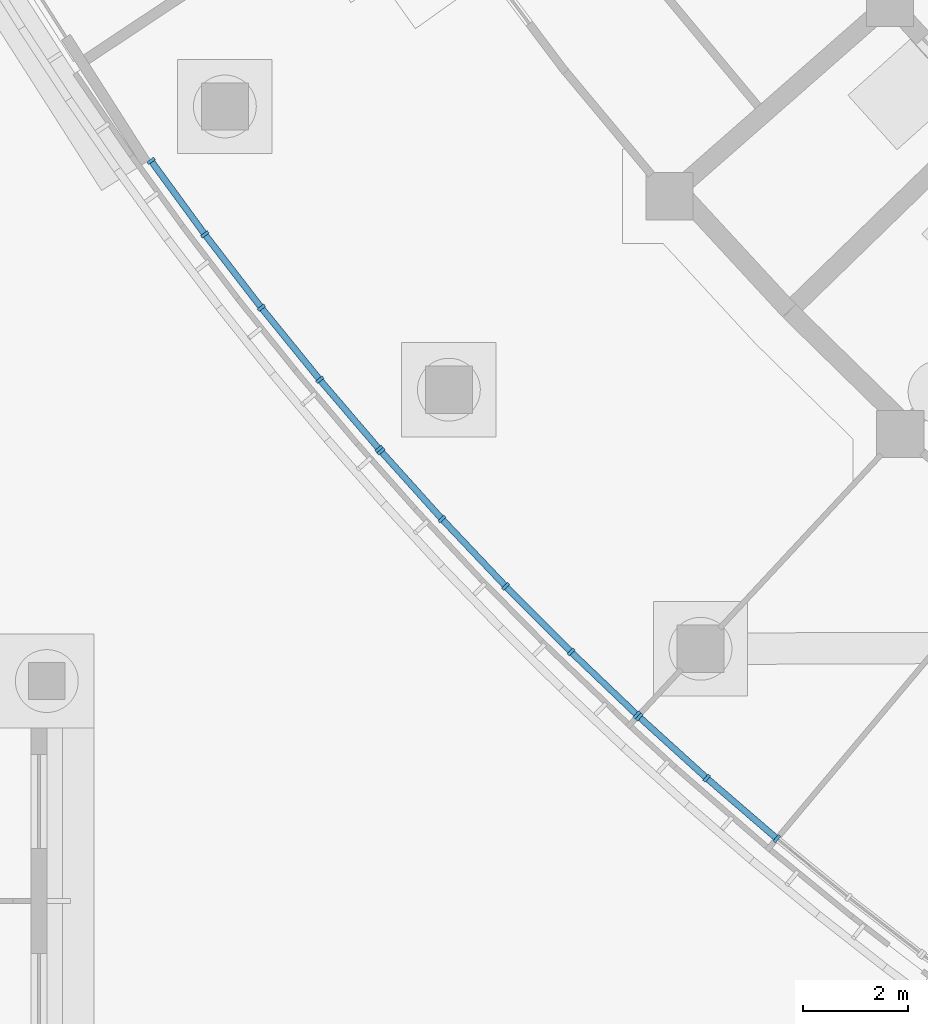
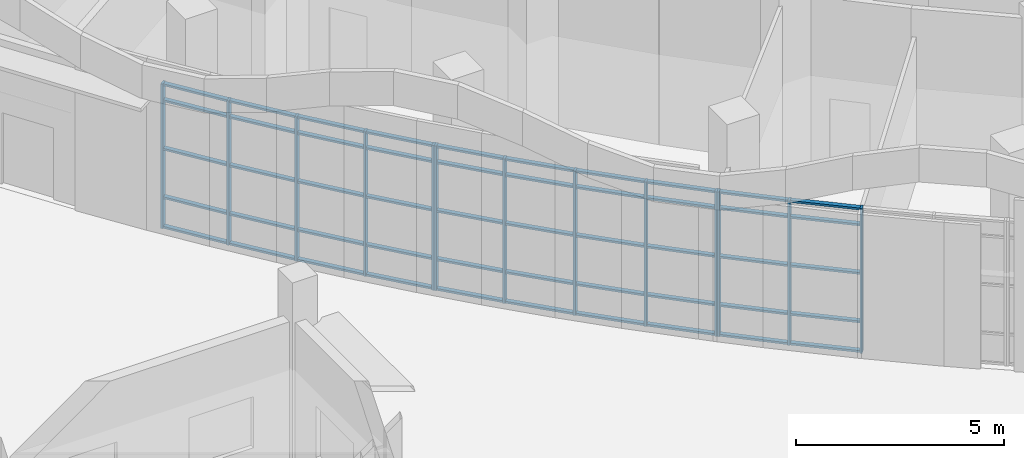
# One storey, part 16 of 146: 63 members, 3 elements without a shape of their own.
"""IFC4 building model written with IfcOpenShell, lengths in metres."""

import ifcopenshell
import ifcopenshell.guid

model = None  # the IFC model being written
_history = None  # IfcOwnerHistory: only IFC2X3 demands one
_inside = {}  # id of a spatial element -> (the spatial element, [elements in it])
_under = {}  # id of a project, library or spatial element -> (it, [spatial elements below it])
_declared = {}  # id of a project -> (the project, [libraries it declares])
_typed = {}  # id of a type object -> (the type object, [elements of that type])
_made_of = {}  # id of a material, layer set ... -> (it, [elements and type objects made of it])


def new_model(schema):
    """Start an empty IFC model of exactly this schema.

    Asked for "IFC4X3", IfcOpenShell would pick the latest addendum, in which some entities
    have other attributes; the version numbers below select the first issue.
    IFC2X3 requires an IfcOwnerHistory on every rooted entity: one is made here for all.
    """
    global model, _history
    if schema == "IFC4X3":
        model = ifcopenshell.file(schema_version=(4, 3, 0, 0))
    else:
        model = ifcopenshell.file(schema=schema)
    _inside.clear()
    _under.clear()
    _declared.clear()
    _typed.clear()
    _made_of.clear()
    _history = None
    if model.schema == "IFC2X3":
        org = make("IfcOrganization", Name="unknown")
        user = make(
            "IfcPersonAndOrganization",
            ThePerson=make("IfcPerson", FamilyName="unknown"),
            TheOrganization=org,
        )
        app = make(
            "IfcApplication",
            ApplicationDeveloper=org,
            Version="unknown",
            ApplicationFullName="unknown",
            ApplicationIdentifier="unknown",
        )
        _history = make(
            "IfcOwnerHistory",
            OwningUser=user,
            OwningApplication=app,
            ChangeAction="ADDED",
            CreationDate=0,
        )
    return model


def make(cls, **values):
    """One entity of the class cls with the attributes given. An attribute that is None is left unset."""
    return model.create_entity(
        cls, **{name: value for name, value in values.items() if value is not None}
    )


def rooted(cls, **values):
    """An entity with a GlobalId (a new one), such as an element, a storey or a relation."""
    return make(cls, GlobalId=ifcopenshell.guid.new(), OwnerHistory=_history, **values)


def si_unit(unit_type, name, prefix=None):
    """IfcSIUnit, for example si_unit("LENGTHUNIT", "METRE", prefix="MILLI")."""
    return make("IfcSIUnit", UnitType=unit_type, Prefix=prefix, Name=name)


def assignment(units):
    """IfcUnitAssignment: the units of a project."""
    return None if units is None else make("IfcUnitAssignment", Units=units)


def point(xyz):
    """IfcCartesianPoint."""
    return None if xyz is None else make("IfcCartesianPoint", Coordinates=xyz)


def direction(xyz):
    """IfcDirection."""
    return None if xyz is None else make("IfcDirection", DirectionRatios=xyz)


def frame(location, z_axis=None, x_axis=None):
    """IfcAxis2Placement3D, a coordinate frame: its origin and axes. An axis left out is left unset."""
    return make(
        "IfcAxis2Placement3D",
        Location=point(location),
        Axis=direction(z_axis),
        RefDirection=direction(x_axis),
    )


def frame_2d(location, x_axis=None):
    """IfcAxis2Placement2D, a coordinate frame in the plane: its origin and x axis."""
    return make(
        "IfcAxis2Placement2D", Location=point(location), RefDirection=direction(x_axis)
    )


def origin():
    """The frame at (0, 0, 0) with its axes left unset."""
    return frame((0.0, 0.0, 0.0))


def origin_2d():
    """The frame at (0, 0) in the plane with its x axis left unset."""
    return frame_2d((0.0, 0.0))


def place(relative_to, where):
    """IfcLocalPlacement: puts the frame where relative to a parent placement (None: the world)."""
    return make(
        "IfcLocalPlacement", PlacementRelTo=relative_to, RelativePlacement=where
    )


def context(
    kind, dimensions, precision=None, world=None, true_north=None, identifier=None
):
    """IfcGeometricRepresentationContext, for example the 3D "Model" context."""
    return make(
        "IfcGeometricRepresentationContext",
        ContextIdentifier=identifier,
        ContextType=kind,
        CoordinateSpaceDimension=dimensions,
        Precision=precision,
        WorldCoordinateSystem=world,
        TrueNorth=true_north,
    )


def subcontext(parent, identifier, kind, view, scale=None):
    """IfcGeometricRepresentationSubContext, for example "Body" below "Model"."""
    return make(
        "IfcGeometricRepresentationSubContext",
        ContextIdentifier=identifier,
        ContextType=kind,
        ParentContext=parent,
        TargetScale=scale,
        TargetView=view,
    )


def project(units=None, contexts=None):
    """IfcProject with its units and contexts."""
    return rooted(
        "IfcProject",
        Name="project",
        RepresentationContexts=contexts,
        UnitsInContext=assignment(units),
    )


def spatial(cls, under=None, at=None, **own):
    """A site, building, storey or space (cls), placed at a placement, below another one or the project."""
    s = rooted(cls, ObjectPlacement=at, **own)
    if under is not None:
        _under.setdefault(under.id(), (under, []))[1].append(s)
    return s


def profile(cls, at=None, kind="AREA", **sizes):
    """A parametric profile (cls). Its sizes go by their IFC names, for example OverallWidth=200.0."""
    return make(cls, ProfileType=kind, Position=at, **sizes)


def rectangle(**sizes):
    """IfcRectangleProfileDef."""
    return profile("IfcRectangleProfileDef", **sizes)


def extrude(swept, where, along, depth):
    """IfcExtrudedAreaSolid: the profile swept, set in the frame where, extruded along a direction by depth."""
    return make(
        "IfcExtrudedAreaSolid",
        SweptArea=swept,
        Position=where,
        ExtrudedDirection=direction(along),
        Depth=depth,
    )


def shape(context_of_items, identifier, shape_type, items):
    """IfcShapeRepresentation: the items that make up one representation, for example the "Body"."""
    return make(
        "IfcShapeRepresentation",
        ContextOfItems=context_of_items,
        RepresentationIdentifier=identifier,
        RepresentationType=shape_type,
        Items=items,
    )


def material(Name=None, Category=None):
    """IfcMaterial."""
    return make("IfcMaterial", Name=Name, Category=Category)


def material_profile(
    of_material, cross_section, Name=None, Category=None, Priority=None
):
    """IfcMaterialProfile: a cross section and its material."""
    return make(
        "IfcMaterialProfile",
        Name=Name,
        Material=of_material,
        Profile=cross_section,
        Priority=Priority,
        Category=Category,
    )


def profile_set(profiles, Name=None, composite=None):
    """IfcMaterialProfileSet."""
    return make(
        "IfcMaterialProfileSet",
        Name=Name,
        MaterialProfiles=profiles,
        CompositeProfile=composite,
    )


def made_of(thing, what):
    """Note that an element or type object is made of a material, layer set ...; save() writes the relation."""
    if what is not None:
        _made_of.setdefault(what.id(), (what, []))[1].append(thing)
    return thing


def type_object(cls, material=None, **own):
    """A type object (cls), such as IfcWallType, which elements share."""
    return made_of(rooted(cls, **own), material)


def element(
    cls,
    number,
    at=None,
    inside=None,
    cuts=None,
    type_object=None,
    material=None,
    context=None,
    identifier="Body",
    shape_type=None,
    held_by="IfcProductDefinitionShape",
    body=None,
    shapes=None,
    **own,
):
    """One element of the class cls, such as IfcWall. Its Tag is "e" and its number.

    at: its placement. inside: the storey or other place that contains it. cuts: it is an
    opening in that element (IfcRelVoidsElement). A single representation is given by context,
    identifier, shape_type and body (its items); several are given by shapes. held_by: the class
    of the entity that holds the representations. save() writes the other relations.
    """
    e = rooted(cls, Tag="e%d" % number, ObjectPlacement=at, **own)
    if body is not None:
        shapes = [shape(context, identifier, shape_type, body)]
    if shapes is not None:
        e.Representation = make(held_by, Representations=shapes)
    if inside is not None:
        _inside.setdefault(inside.id(), (inside, []))[1].append(e)
    if cuts is not None:
        rooted(
            "IfcRelVoidsElement", RelatingBuildingElement=cuts, RelatedOpeningElement=e
        )
    if type_object is not None:
        _typed.setdefault(type_object.id(), (type_object, []))[1].append(e)
    return made_of(e, material)


def aggregate(whole, parts):
    """IfcRelAggregates: a whole, such as a stair, and the parts it consists of."""
    return rooted("IfcRelAggregates", RelatingObject=whole, RelatedObjects=parts)


def save(model, path):
    """Write the relations noted so far, then the file.

    IfcRelAggregates (storeys below a building ...), IfcRelContainedInSpatialStructure (elements
    in a storey), IfcRelDefinesByType, IfcRelAssociatesMaterial and IfcRelDeclares: one each for
    every whole, place, type object, material and project.
    """
    for whole, parts in _under.values():
        aggregate(whole, parts)
    for where, things in _inside.values():
        rooted(
            "IfcRelContainedInSpatialStructure",
            RelatedElements=things,
            RelatingStructure=where,
        )
    for kind, things in _typed.values():
        rooted("IfcRelDefinesByType", RelatedObjects=things, RelatingType=kind)
    for what, things in _made_of.values():
        rooted("IfcRelAssociatesMaterial", RelatedObjects=things, RelatingMaterial=what)
    for by, libraries in _declared.values():
        rooted("IfcRelDeclares", RelatingContext=by, RelatedDefinitions=libraries)
    model.write(path)


model = new_model("IFC4")

# Units and contexts
model_context = context("Model", 3, precision=1e-05, world=origin(), true_north=direction((0.0, 1.0)))
body_context = subcontext(model_context, "Body", "Model", "MODEL_VIEW")
ifc_project = project(units=[si_unit("LENGTHUNIT", "METRE"), si_unit("AREAUNIT", "SQUARE_METRE"), si_unit("VOLUMEUNIT", "CUBIC_METRE"), si_unit("PLANEANGLEUNIT", "RADIAN"), si_unit("MASSUNIT", "GRAM", prefix="KILO")], contexts=[model_context])

# Site, building, storey
site_placement = place(None, origin())
site = spatial("IfcSite", under=ifc_project, at=site_placement, CompositionType="ELEMENT")
building_placement = place(site_placement, origin())
building = spatial("IfcBuilding", under=site, at=building_placement, Name="Bougainvillea Quay General Hospital", CompositionType="ELEMENT")
storey_placement = place(building_placement, origin())
storey = spatial("IfcBuildingStorey", under=building, at=storey_placement, Name="L00", CompositionType="ELEMENT", Elevation=0.0)

# Curtain wall, members
ifc_material_1 = material(Name="Aluminium curtain wall system, powder-coated glazed", Category="aluminium")
curtain_wall_type = type_object("IfcCurtainWallType", Name="Unitised curtain wall CW-2100", PredefinedType="NOTDEFINED", material=ifc_material_1)
curtain_wall_1_placement = place(storey_placement, origin())
curtain_wall_1 = element("IfcCurtainWall", 1, at=curtain_wall_1_placement, inside=storey, type_object=curtain_wall_type, Name="CW-W03 a01b2", PredefinedType="NOTDEFINED")
ifc_material_2 = material(Name="Aluminium mullion, powder-coated charcoal", Category="aluminium")
ifc_material_profile_1 = material_profile(ifc_material_2, rectangle(XDim=0.159912109375, YDim=0.06005859375, at=origin_2d()))
ifc_profile_set_1 = profile_set([ifc_material_profile_1], Name="Aluminium mullion, powder-coated charcoal")
member_type_1 = type_object("IfcMemberType", Name="Curtain wall mullion 160x60", PredefinedType="MULLION", material=ifc_profile_set_1)
member_1_placement = place(storey_placement, frame((64.337646484375, 72.591796875, 0.0), z_axis=(0.0, 0.0, 1.0), x_axis=(-0.643188621489, -0.765707775321, 0.0)))
member_1 = element("IfcMember", 2, at=member_1_placement, type_object=member_type_1, Name="CW-W03 mullion 3", PredefinedType="MULLION", context=body_context, shape_type="SweptSolid", body=[
    extrude(rectangle(XDim=0.159912109375, YDim=0.06005859375, at=origin_2d()), origin(), (0.0, 0.0, 1.0), 4.25),
])
member_2_placement = place(storey_placement, frame((62.997802734375, 73.74658203125, 0.0), z_axis=(0.0, 0.0, 1.0), x_axis=(-0.662397799417, -0.749152291145, 0.0)))
member_2 = element("IfcMember", 3, at=member_2_placement, type_object=member_type_1, Name="CW-W03 mullion 4", PredefinedType="MULLION", context=body_context, shape_type="SweptSolid", body=[
    extrude(rectangle(XDim=0.159912109375, YDim=0.06005859375, at=origin_2d()), origin(), (0.0, 0.0, 1.0), 4.25),
])
member_3_placement = place(storey_placement, frame((61.7099609375, 74.914794921875, 0.0), z_axis=(0.0, 0.0, 1.0), x_axis=(-0.671843410143, -0.740693210613, 0.0)))
member_3 = element("IfcMember", 4, at=member_3_placement, type_object=member_type_1, Name="CW-W03 mullion 5", PredefinedType="MULLION", context=body_context, shape_type="SweptSolid", body=[
    extrude(rectangle(XDim=0.159912109375, YDim=0.06005859375, at=origin_2d()), origin(), (0.0, 0.0, 1.0), 4.25),
])

curtain_wall_2_placement = place(storey_placement, origin())
curtain_wall_2 = element("IfcCurtainWall", 5, at=curtain_wall_2_placement, inside=storey, type_object=curtain_wall_type, Name="CW-W04 a01b3", PredefinedType="NOTDEFINED")
member_4_placement = place(storey_placement, frame((61.666015625, 74.955810546875, 0.0), z_axis=(0.0, 0.0, 1.0), x_axis=(-0.690409082244, -0.72341917251, 0.0)))
member_4 = element("IfcMember", 6, at=member_4_placement, type_object=member_type_1, Name="CW-W04 mullion 1", PredefinedType="MULLION", context=body_context, shape_type="SweptSolid", body=[
    extrude(rectangle(XDim=0.159912109375, YDim=0.06005859375, at=origin_2d()), origin(), (0.0, 0.0, 1.0), 4.25),
])
member_5_placement = place(storey_placement, frame((60.407958984375, 76.15625, 0.0), z_axis=(0.0, 0.0, 1.0), x_axis=(-0.699526158712, -0.714606992183, 0.0)))
member_5 = element("IfcMember", 7, at=member_5_placement, type_object=member_type_1, Name="CW-W04 mullion 2", PredefinedType="MULLION", context=body_context, shape_type="SweptSolid", body=[
    extrude(rectangle(XDim=0.159912109375, YDim=0.06005859375, at=origin_2d()), origin(), (0.0, 0.0, 1.0), 4.25),
])
member_6_placement = place(storey_placement, frame((59.159912109375, 77.409423828125, 0.0), z_axis=(0.0, 0.0, 1.0), x_axis=(-0.717421463702, -0.69663939267, 0.0)))
member_6 = element("IfcMember", 8, at=member_6_placement, type_object=member_type_1, Name="CW-W04 mullion 3", PredefinedType="MULLION", context=body_context, shape_type="SweptSolid", body=[
    extrude(rectangle(XDim=0.159912109375, YDim=0.06005859375, at=origin_2d()), origin(), (0.0, 0.0, 1.0), 4.25),
])
member_7_placement = place(storey_placement, frame((57.94384765625, 78.69384765625, 0.0), z_axis=(0.0, 0.0, 1.0), x_axis=(-0.734855411756, -0.678223800683, 0.0)))
member_7 = element("IfcMember", 9, at=member_7_placement, type_object=member_type_1, Name="CW-W04 mullion 4", PredefinedType="MULLION", context=body_context, shape_type="SweptSolid", body=[
    extrude(rectangle(XDim=0.159912109375, YDim=0.06005859375, at=origin_2d()), origin(), (0.0, 0.0, 1.0), 4.25),
])
member_8_placement = place(storey_placement, frame((56.78076171875, 79.986572265625, 0.0), z_axis=(0.0, 0.0, 1.0), x_axis=(-0.743395861593, -0.668851697289, 0.0)))
member_8 = element("IfcMember", 10, at=member_8_placement, type_object=member_type_1, Name="CW-W04 mullion 5", PredefinedType="MULLION", context=body_context, shape_type="SweptSolid", body=[
    extrude(rectangle(XDim=0.159912109375, YDim=0.06005859375, at=origin_2d()), origin(), (0.0, 0.0, 1.0), 4.25),
])

curtain_wall_3_placement = place(storey_placement, origin())
curtain_wall_3 = element("IfcCurtainWall", 11, at=curtain_wall_3_placement, inside=storey, type_object=curtain_wall_type, Name="CW-W05 a01b4", PredefinedType="NOTDEFINED")
member_9_placement = place(storey_placement, frame((56.7412109375, 80.031494140625, 0.0), z_axis=(0.0, 0.0, 1.0), x_axis=(-0.760116847627, -0.649786409486, 0.0)))
member_9 = element("IfcMember", 12, at=member_9_placement, type_object=member_type_1, Name="CW-W05 mullion 1", PredefinedType="MULLION", context=body_context, shape_type="SweptSolid", body=[
    extrude(rectangle(XDim=0.159912109375, YDim=0.06005859375, at=origin_2d()), origin(), (0.0, 0.0, 1.0), 4.25),
])
member_10_placement = place(storey_placement, frame((55.611572265625, 81.353271484375, 0.0), z_axis=(0.0, 0.0, 1.0), x_axis=(-0.768294695498, -0.64009629031, 0.0)))
member_10 = element("IfcMember", 13, at=member_10_placement, type_object=member_type_1, Name="CW-W05 mullion 2", PredefinedType="MULLION", context=body_context, shape_type="SweptSolid", body=[
    extrude(rectangle(XDim=0.159912109375, YDim=0.06005859375, at=origin_2d()), origin(), (0.0, 0.0, 1.0), 4.25),
])
member_11_placement = place(storey_placement, frame((54.49658203125, 82.7265625, 0.0), z_axis=(0.0, 0.0, 1.0), x_axis=(-0.784278527167, -0.620408890833, 0.0)))
member_11 = element("IfcMember", 14, at=member_11_placement, type_object=member_type_1, Name="CW-W05 mullion 3", PredefinedType="MULLION", context=body_context, shape_type="SweptSolid", body=[
    extrude(rectangle(XDim=0.159912109375, YDim=0.06005859375, at=origin_2d()), origin(), (0.0, 0.0, 1.0), 4.25),
])
member_12_placement = place(storey_placement, frame((53.4169921875, 84.12744140625, 0.0), z_axis=(0.0, 0.0, 1.0), x_axis=(-0.799758007688, -0.600322520933, 0.0)))
member_12 = element("IfcMember", 15, at=member_12_placement, type_object=member_type_1, Name="CW-W05 mullion 4", PredefinedType="MULLION", context=body_context, shape_type="SweptSolid", body=[
    extrude(rectangle(XDim=0.159912109375, YDim=0.06005859375, at=origin_2d()), origin(), (0.0, 0.0, 1.0), 4.25),
])
member_13_placement = place(storey_placement, frame((52.390869140625, 85.53125, 0.0), z_axis=(0.0, 0.0, 1.0), x_axis=(-0.807305492643, -0.590133748864, 0.0)))
member_13 = element("IfcMember", 16, at=member_13_placement, type_object=member_type_1, Name="CW-W05 mullion 5", PredefinedType="MULLION", context=body_context, shape_type="SweptSolid", body=[
    extrude(rectangle(XDim=0.159912109375, YDim=0.06005859375, at=origin_2d()), origin(), (0.0, 0.0, 1.0), 4.25),
])

# Member
ifc_material_3 = material(Name="Aluminium transom, powder-coated charcoal", Category="aluminium")
ifc_material_profile_2 = material_profile(ifc_material_3, rectangle(XDim=0.1201171875, YDim=0.06005859375, at=origin_2d()))
ifc_profile_set_2 = profile_set([ifc_material_profile_2], Name="Aluminium transom, powder-coated charcoal")
member_type_2 = type_object("IfcMemberType", Name="Curtain wall transom 120x60", PredefinedType="USERDEFINED", material=ifc_profile_set_2)
member_14_placement = place(storey_placement, frame((64.31494140625, 72.611572265625, 0.030029296875), z_axis=(-0.757529337262, 0.6528011207, 0.0), x_axis=(-0.6528011207, -0.757529337262, 0.0)))
member_14 = element("IfcMember", 17, at=member_14_placement, type_object=member_type_2, Name="CW-W03 transom 3.1", ObjectType="TRANSOM", PredefinedType="USERDEFINED", context=body_context, shape_type="SweptSolid", body=[
    extrude(rectangle(XDim=0.1201171875, YDim=0.06005859375, at=origin_2d()), origin(), (0.0, 0.0, 1.0), 1.708740234375),
])

member_15_placement = place(storey_placement, frame((64.31494140625, 72.611572265625, 0.89990234375), z_axis=(-0.757529337262, 0.6528011207, 0.0), x_axis=(-0.6528011207, -0.757529337262, 0.0)))
member_15 = element("IfcMember", 18, at=member_15_placement, type_object=member_type_2, Name="CW-W03 transom 3.2", ObjectType="TRANSOM", PredefinedType="USERDEFINED", context=body_context, shape_type="SweptSolid", body=[
    extrude(rectangle(XDim=0.1201171875, YDim=0.06005859375, at=origin_2d()), origin(), (0.0, 0.0, 1.0), 1.708740234375),
])

member_16_placement = place(storey_placement, frame((64.31494140625, 72.611572265625, 2.324951171875), z_axis=(-0.757529337262, 0.6528011207, 0.0), x_axis=(-0.6528011207, -0.757529337262, 0.0)))
member_16 = element("IfcMember", 19, at=member_16_placement, type_object=member_type_2, Name="CW-W03 transom 3.3", ObjectType="TRANSOM", PredefinedType="USERDEFINED", context=body_context, shape_type="SweptSolid", body=[
    extrude(rectangle(XDim=0.1201171875, YDim=0.06005859375, at=origin_2d()), origin(), (0.0, 0.0, 1.0), 1.708740234375),
])

member_17_placement = place(storey_placement, frame((64.31494140625, 72.611572265625, 3.75), z_axis=(-0.757529337262, 0.6528011207, 0.0), x_axis=(-0.6528011207, -0.757529337262, 0.0)))
member_17 = element("IfcMember", 20, at=member_17_placement, type_object=member_type_2, Name="CW-W03 transom 3.4", ObjectType="TRANSOM", PredefinedType="USERDEFINED", context=body_context, shape_type="SweptSolid", body=[
    extrude(rectangle(XDim=0.1201171875, YDim=0.06005859375, at=origin_2d()), origin(), (0.0, 0.0, 1.0), 1.708740234375),
])

member_18_placement = place(storey_placement, frame((64.31494140625, 72.611572265625, 4.219970703125), z_axis=(-0.757529337262, 0.6528011207, 0.0), x_axis=(-0.6528011207, -0.757529337262, 0.0)))
member_18 = element("IfcMember", 21, at=member_18_placement, type_object=member_type_2, Name="CW-W03 transom 3.5", ObjectType="TRANSOM", PredefinedType="USERDEFINED", context=body_context, shape_type="SweptSolid", body=[
    extrude(rectangle(XDim=0.1201171875, YDim=0.06005859375, at=origin_2d()), origin(), (0.0, 0.0, 1.0), 1.708740234375),
])

member_19_placement = place(storey_placement, frame((62.9755859375, 73.766845703125, 0.030029296875), z_axis=(-0.740663493484, 0.671876171195, 0.0), x_axis=(-0.671876171195, -0.740663493484, 0.0)))
member_19 = element("IfcMember", 22, at=member_19_placement, type_object=member_type_2, Name="CW-W03 transom 4.1", ObjectType="TRANSOM", PredefinedType="USERDEFINED", context=body_context, shape_type="SweptSolid", body=[
    extrude(rectangle(XDim=0.1201171875, YDim=0.06005859375, at=origin_2d()), origin(), (0.0, 0.0, 1.0), 1.6787109375),
])

member_20_placement = place(storey_placement, frame((62.9755859375, 73.766845703125, 0.89990234375), z_axis=(-0.740663493484, 0.671876171195, 0.0), x_axis=(-0.671876171195, -0.740663493484, 0.0)))
member_20 = element("IfcMember", 23, at=member_20_placement, type_object=member_type_2, Name="CW-W03 transom 4.2", ObjectType="TRANSOM", PredefinedType="USERDEFINED", context=body_context, shape_type="SweptSolid", body=[
    extrude(rectangle(XDim=0.1201171875, YDim=0.06005859375, at=origin_2d()), origin(), (0.0, 0.0, 1.0), 1.6787109375),
])

member_21_placement = place(storey_placement, frame((62.9755859375, 73.766845703125, 2.324951171875), z_axis=(-0.740663493484, 0.671876171195, 0.0), x_axis=(-0.671876171195, -0.740663493484, 0.0)))
member_21 = element("IfcMember", 24, at=member_21_placement, type_object=member_type_2, Name="CW-W03 transom 4.3", ObjectType="TRANSOM", PredefinedType="USERDEFINED", context=body_context, shape_type="SweptSolid", body=[
    extrude(rectangle(XDim=0.1201171875, YDim=0.06005859375, at=origin_2d()), origin(), (0.0, 0.0, 1.0), 1.6787109375),
])

member_22_placement = place(storey_placement, frame((62.9755859375, 73.766845703125, 3.75), z_axis=(-0.740663493484, 0.671876171195, 0.0), x_axis=(-0.671876171195, -0.740663493484, 0.0)))
member_22 = element("IfcMember", 25, at=member_22_placement, type_object=member_type_2, Name="CW-W03 transom 4.4", ObjectType="TRANSOM", PredefinedType="USERDEFINED", context=body_context, shape_type="SweptSolid", body=[
    extrude(rectangle(XDim=0.1201171875, YDim=0.06005859375, at=origin_2d()), origin(), (0.0, 0.0, 1.0), 1.6787109375),
])

member_23_placement = place(storey_placement, frame((62.9755859375, 73.766845703125, 4.219970703125), z_axis=(-0.740663493484, 0.671876171195, 0.0), x_axis=(-0.671876171195, -0.740663493484, 0.0)))
member_23 = element("IfcMember", 26, at=member_23_placement, type_object=member_type_2, Name="CW-W03 transom 4.5", ObjectType="TRANSOM", PredefinedType="USERDEFINED", context=body_context, shape_type="SweptSolid", body=[
    extrude(rectangle(XDim=0.1201171875, YDim=0.06005859375, at=origin_2d()), origin(), (0.0, 0.0, 1.0), 1.6787109375),
])

aggregate(curtain_wall_1, [member_1, member_2, member_3, member_14, member_15, member_16, member_17, member_18, member_19, member_20, member_21, member_22, member_23])

member_24_placement = place(storey_placement, frame((61.644287109375, 74.976318359375, 0.030029296875), z_axis=(-0.723418264264, 0.690410033914, 0.0), x_axis=(-0.690410033914, -0.723418264264, 0.0)))
member_24 = element("IfcMember", 27, at=member_24_placement, type_object=member_type_2, Name="CW-W04 transom 1.1", ObjectType="TRANSOM", PredefinedType="USERDEFINED", context=body_context, shape_type="SweptSolid", body=[
    extrude(rectangle(XDim=0.1201171875, YDim=0.06005859375, at=origin_2d()), origin(), (0.0, 0.0, 1.0), 1.678955078125),
])

member_25_placement = place(storey_placement, frame((61.644287109375, 74.976318359375, 0.89990234375), z_axis=(-0.723418264264, 0.690410033914, 0.0), x_axis=(-0.690410033914, -0.723418264264, 0.0)))
member_25 = element("IfcMember", 28, at=member_25_placement, type_object=member_type_2, Name="CW-W04 transom 1.2", ObjectType="TRANSOM", PredefinedType="USERDEFINED", context=body_context, shape_type="SweptSolid", body=[
    extrude(rectangle(XDim=0.1201171875, YDim=0.06005859375, at=origin_2d()), origin(), (0.0, 0.0, 1.0), 1.678955078125),
])

member_26_placement = place(storey_placement, frame((61.644287109375, 74.976318359375, 2.324951171875), z_axis=(-0.723418264264, 0.690410033914, 0.0), x_axis=(-0.690410033914, -0.723418264264, 0.0)))
member_26 = element("IfcMember", 29, at=member_26_placement, type_object=member_type_2, Name="CW-W04 transom 1.3", ObjectType="TRANSOM", PredefinedType="USERDEFINED", context=body_context, shape_type="SweptSolid", body=[
    extrude(rectangle(XDim=0.1201171875, YDim=0.06005859375, at=origin_2d()), origin(), (0.0, 0.0, 1.0), 1.678955078125),
])

member_27_placement = place(storey_placement, frame((61.644287109375, 74.976318359375, 3.75), z_axis=(-0.723418264264, 0.690410033914, 0.0), x_axis=(-0.690410033914, -0.723418264264, 0.0)))
member_27 = element("IfcMember", 30, at=member_27_placement, type_object=member_type_2, Name="CW-W04 transom 1.4", ObjectType="TRANSOM", PredefinedType="USERDEFINED", context=body_context, shape_type="SweptSolid", body=[
    extrude(rectangle(XDim=0.1201171875, YDim=0.06005859375, at=origin_2d()), origin(), (0.0, 0.0, 1.0), 1.678955078125),
])

member_28_placement = place(storey_placement, frame((61.644287109375, 74.976318359375, 4.219970703125), z_axis=(-0.723418264264, 0.690410033914, 0.0), x_axis=(-0.690410033914, -0.723418264264, 0.0)))
member_28 = element("IfcMember", 31, at=member_28_placement, type_object=member_type_2, Name="CW-W04 transom 1.5", ObjectType="TRANSOM", PredefinedType="USERDEFINED", context=body_context, shape_type="SweptSolid", body=[
    extrude(rectangle(XDim=0.1201171875, YDim=0.06005859375, at=origin_2d()), origin(), (0.0, 0.0, 1.0), 1.678955078125),
])

member_29_placement = place(storey_placement, frame((60.386962890625, 76.177490234375, 0.030029296875), z_axis=(-0.705676553405, 0.708534121955, 0.0), x_axis=(-0.708534121955, -0.705676553405, 0.0)))
member_29 = element("IfcMember", 32, at=member_29_placement, type_object=member_type_2, Name="CW-W04 transom 2.1", ObjectType="TRANSOM", PredefinedType="USERDEFINED", context=body_context, shape_type="SweptSolid", body=[
    extrude(rectangle(XDim=0.1201171875, YDim=0.06005859375, at=origin_2d()), origin(), (0.0, 0.0, 1.0), 1.708740234375),
])

member_30_placement = place(storey_placement, frame((60.386962890625, 76.177490234375, 0.89990234375), z_axis=(-0.705676553405, 0.708534121955, 0.0), x_axis=(-0.708534121955, -0.705676553405, 0.0)))
member_30 = element("IfcMember", 33, at=member_30_placement, type_object=member_type_2, Name="CW-W04 transom 2.2", ObjectType="TRANSOM", PredefinedType="USERDEFINED", context=body_context, shape_type="SweptSolid", body=[
    extrude(rectangle(XDim=0.1201171875, YDim=0.06005859375, at=origin_2d()), origin(), (0.0, 0.0, 1.0), 1.708740234375),
])

member_31_placement = place(storey_placement, frame((60.386962890625, 76.177490234375, 2.324951171875), z_axis=(-0.705676553405, 0.708534121955, 0.0), x_axis=(-0.708534121955, -0.705676553405, 0.0)))
member_31 = element("IfcMember", 34, at=member_31_placement, type_object=member_type_2, Name="CW-W04 transom 2.3", ObjectType="TRANSOM", PredefinedType="USERDEFINED", context=body_context, shape_type="SweptSolid", body=[
    extrude(rectangle(XDim=0.1201171875, YDim=0.06005859375, at=origin_2d()), origin(), (0.0, 0.0, 1.0), 1.708740234375),
])

member_32_placement = place(storey_placement, frame((60.386962890625, 76.177490234375, 3.75), z_axis=(-0.705676553405, 0.708534121955, 0.0), x_axis=(-0.708534121955, -0.705676553405, 0.0)))
member_32 = element("IfcMember", 35, at=member_32_placement, type_object=member_type_2, Name="CW-W04 transom 2.4", ObjectType="TRANSOM", PredefinedType="USERDEFINED", context=body_context, shape_type="SweptSolid", body=[
    extrude(rectangle(XDim=0.1201171875, YDim=0.06005859375, at=origin_2d()), origin(), (0.0, 0.0, 1.0), 1.708740234375),
])

member_33_placement = place(storey_placement, frame((60.386962890625, 76.177490234375, 4.219970703125), z_axis=(-0.705676553405, 0.708534121955, 0.0), x_axis=(-0.708534121955, -0.705676553405, 0.0)))
member_33 = element("IfcMember", 36, at=member_33_placement, type_object=member_type_2, Name="CW-W04 transom 2.5", ObjectType="TRANSOM", PredefinedType="USERDEFINED", context=body_context, shape_type="SweptSolid", body=[
    extrude(rectangle(XDim=0.1201171875, YDim=0.06005859375, at=origin_2d()), origin(), (0.0, 0.0, 1.0), 1.708740234375),
])

member_34_placement = place(storey_placement, frame((59.13916015625, 77.43115234375, 0.030029296875), z_axis=(-0.687483060128, 0.726200414512, 0.0), x_axis=(-0.726200414512, -0.687483060128, 0.0)))
member_34 = element("IfcMember", 37, at=member_34_placement, type_object=member_type_2, Name="CW-W04 transom 3.1", ObjectType="TRANSOM", PredefinedType="USERDEFINED", context=body_context, shape_type="SweptSolid", body=[
    extrude(rectangle(XDim=0.1201171875, YDim=0.06005859375, at=origin_2d()), origin(), (0.0, 0.0, 1.0), 1.708740234375),
])

member_35_placement = place(storey_placement, frame((59.13916015625, 77.43115234375, 0.89990234375), z_axis=(-0.687483060128, 0.726200414512, 0.0), x_axis=(-0.726200414512, -0.687483060128, 0.0)))
member_35 = element("IfcMember", 38, at=member_35_placement, type_object=member_type_2, Name="CW-W04 transom 3.2", ObjectType="TRANSOM", PredefinedType="USERDEFINED", context=body_context, shape_type="SweptSolid", body=[
    extrude(rectangle(XDim=0.1201171875, YDim=0.06005859375, at=origin_2d()), origin(), (0.0, 0.0, 1.0), 1.708740234375),
])

member_36_placement = place(storey_placement, frame((59.13916015625, 77.43115234375, 2.324951171875), z_axis=(-0.687483060128, 0.726200414512, 0.0), x_axis=(-0.726200414512, -0.687483060128, 0.0)))
member_36 = element("IfcMember", 39, at=member_36_placement, type_object=member_type_2, Name="CW-W04 transom 3.3", ObjectType="TRANSOM", PredefinedType="USERDEFINED", context=body_context, shape_type="SweptSolid", body=[
    extrude(rectangle(XDim=0.1201171875, YDim=0.06005859375, at=origin_2d()), origin(), (0.0, 0.0, 1.0), 1.708740234375),
])

member_37_placement = place(storey_placement, frame((59.13916015625, 77.43115234375, 3.75), z_axis=(-0.687483060128, 0.726200414512, 0.0), x_axis=(-0.726200414512, -0.687483060128, 0.0)))
member_37 = element("IfcMember", 40, at=member_37_placement, type_object=member_type_2, Name="CW-W04 transom 3.4", ObjectType="TRANSOM", PredefinedType="USERDEFINED", context=body_context, shape_type="SweptSolid", body=[
    extrude(rectangle(XDim=0.1201171875, YDim=0.06005859375, at=origin_2d()), origin(), (0.0, 0.0, 1.0), 1.708740234375),
])

member_38_placement = place(storey_placement, frame((59.13916015625, 77.43115234375, 4.219970703125), z_axis=(-0.687483060128, 0.726200414512, 0.0), x_axis=(-0.726200414512, -0.687483060128, 0.0)))
member_38 = element("IfcMember", 41, at=member_38_placement, type_object=member_type_2, Name="CW-W04 transom 3.5", ObjectType="TRANSOM", PredefinedType="USERDEFINED", context=body_context, shape_type="SweptSolid", body=[
    extrude(rectangle(XDim=0.1201171875, YDim=0.06005859375, at=origin_2d()), origin(), (0.0, 0.0, 1.0), 1.708740234375),
])

member_39_placement = place(storey_placement, frame((57.923828125, 78.71630859375, 0.030029296875), z_axis=(-0.668892408727, 0.743359230485, 0.0), x_axis=(-0.743359230485, -0.668892408727, 0.0)))
member_39 = element("IfcMember", 42, at=member_39_placement, type_object=member_type_2, Name="CW-W04 transom 4.1", ObjectType="TRANSOM", PredefinedType="USERDEFINED", context=body_context, shape_type="SweptSolid", body=[
    extrude(rectangle(XDim=0.1201171875, YDim=0.06005859375, at=origin_2d()), origin(), (0.0, 0.0, 1.0), 1.6787109375),
])

member_40_placement = place(storey_placement, frame((57.923828125, 78.71630859375, 0.89990234375), z_axis=(-0.668892408727, 0.743359230485, 0.0), x_axis=(-0.743359230485, -0.668892408727, 0.0)))
member_40 = element("IfcMember", 43, at=member_40_placement, type_object=member_type_2, Name="CW-W04 transom 4.2", ObjectType="TRANSOM", PredefinedType="USERDEFINED", context=body_context, shape_type="SweptSolid", body=[
    extrude(rectangle(XDim=0.1201171875, YDim=0.06005859375, at=origin_2d()), origin(), (0.0, 0.0, 1.0), 1.6787109375),
])

member_41_placement = place(storey_placement, frame((57.923828125, 78.71630859375, 2.324951171875), z_axis=(-0.668892408727, 0.743359230485, 0.0), x_axis=(-0.743359230485, -0.668892408727, 0.0)))
member_41 = element("IfcMember", 44, at=member_41_placement, type_object=member_type_2, Name="CW-W04 transom 4.3", ObjectType="TRANSOM", PredefinedType="USERDEFINED", context=body_context, shape_type="SweptSolid", body=[
    extrude(rectangle(XDim=0.1201171875, YDim=0.06005859375, at=origin_2d()), origin(), (0.0, 0.0, 1.0), 1.6787109375),
])

member_42_placement = place(storey_placement, frame((57.923828125, 78.71630859375, 3.75), z_axis=(-0.668892408727, 0.743359230485, 0.0), x_axis=(-0.743359230485, -0.668892408727, 0.0)))
member_42 = element("IfcMember", 45, at=member_42_placement, type_object=member_type_2, Name="CW-W04 transom 4.4", ObjectType="TRANSOM", PredefinedType="USERDEFINED", context=body_context, shape_type="SweptSolid", body=[
    extrude(rectangle(XDim=0.1201171875, YDim=0.06005859375, at=origin_2d()), origin(), (0.0, 0.0, 1.0), 1.6787109375),
])

member_43_placement = place(storey_placement, frame((57.923828125, 78.71630859375, 4.219970703125), z_axis=(-0.668892408727, 0.743359230485, 0.0), x_axis=(-0.743359230485, -0.668892408727, 0.0)))
member_43 = element("IfcMember", 46, at=member_43_placement, type_object=member_type_2, Name="CW-W04 transom 4.5", ObjectType="TRANSOM", PredefinedType="USERDEFINED", context=body_context, shape_type="SweptSolid", body=[
    extrude(rectangle(XDim=0.1201171875, YDim=0.06005859375, at=origin_2d()), origin(), (0.0, 0.0, 1.0), 1.6787109375),
])

aggregate(curtain_wall_2, [member_4, member_5, member_6, member_7, member_8, member_24, member_25, member_26, member_27, member_28, member_29, member_30, member_31, member_32, member_33, member_34, member_35, member_36, member_37, member_38, member_39, member_40, member_41, member_42, member_43])

member_44_placement = place(storey_placement, frame((56.721923828125, 80.054443359375, 0.030029296875), z_axis=(-0.649844836937, 0.760066896994, 0.0), x_axis=(-0.760066896994, -0.649844836937, 0.0)))
member_44 = element("IfcMember", 47, at=member_44_placement, type_object=member_type_2, Name="CW-W05 transom 1.1", ObjectType="TRANSOM", PredefinedType="USERDEFINED", context=body_context, shape_type="SweptSolid", body=[
    extrude(rectangle(XDim=0.1201171875, YDim=0.06005859375, at=origin_2d()), origin(), (0.0, 0.0, 1.0), 1.678955078125),
])

member_45_placement = place(storey_placement, frame((56.721923828125, 80.054443359375, 0.89990234375), z_axis=(-0.649844836937, 0.760066896994, 0.0), x_axis=(-0.760066896994, -0.649844836937, 0.0)))
member_45 = element("IfcMember", 48, at=member_45_placement, type_object=member_type_2, Name="CW-W05 transom 1.2", ObjectType="TRANSOM", PredefinedType="USERDEFINED", context=body_context, shape_type="SweptSolid", body=[
    extrude(rectangle(XDim=0.1201171875, YDim=0.06005859375, at=origin_2d()), origin(), (0.0, 0.0, 1.0), 1.678955078125),
])

member_46_placement = place(storey_placement, frame((56.721923828125, 80.054443359375, 2.324951171875), z_axis=(-0.649844836937, 0.760066896994, 0.0), x_axis=(-0.760066896994, -0.649844836937, 0.0)))
member_46 = element("IfcMember", 49, at=member_46_placement, type_object=member_type_2, Name="CW-W05 transom 1.3", ObjectType="TRANSOM", PredefinedType="USERDEFINED", context=body_context, shape_type="SweptSolid", body=[
    extrude(rectangle(XDim=0.1201171875, YDim=0.06005859375, at=origin_2d()), origin(), (0.0, 0.0, 1.0), 1.678955078125),
])

member_47_placement = place(storey_placement, frame((56.721923828125, 80.054443359375, 3.75), z_axis=(-0.649844836937, 0.760066896994, 0.0), x_axis=(-0.760066896994, -0.649844836937, 0.0)))
member_47 = element("IfcMember", 50, at=member_47_placement, type_object=member_type_2, Name="CW-W05 transom 1.4", ObjectType="TRANSOM", PredefinedType="USERDEFINED", context=body_context, shape_type="SweptSolid", body=[
    extrude(rectangle(XDim=0.1201171875, YDim=0.06005859375, at=origin_2d()), origin(), (0.0, 0.0, 1.0), 1.678955078125),
])

member_48_placement = place(storey_placement, frame((56.721923828125, 80.054443359375, 4.219970703125), z_axis=(-0.649844836937, 0.760066896994, 0.0), x_axis=(-0.760066896994, -0.649844836937, 0.0)))
member_48 = element("IfcMember", 51, at=member_48_placement, type_object=member_type_2, Name="CW-W05 transom 1.5", ObjectType="TRANSOM", PredefinedType="USERDEFINED", context=body_context, shape_type="SweptSolid", body=[
    extrude(rectangle(XDim=0.1201171875, YDim=0.06005859375, at=origin_2d()), origin(), (0.0, 0.0, 1.0), 1.678955078125),
])

member_49_placement = place(storey_placement, frame((55.592529296875, 81.37646484375, 0.030029296875), z_axis=(-0.630323663485, 0.776332454075, 0.0), x_axis=(-0.776332454075, -0.630323663485, 0.0)))
member_49 = element("IfcMember", 52, at=member_49_placement, type_object=member_type_2, Name="CW-W05 transom 2.1", ObjectType="TRANSOM", PredefinedType="USERDEFINED", context=body_context, shape_type="SweptSolid", body=[
    extrude(rectangle(XDim=0.1201171875, YDim=0.06005859375, at=origin_2d()), origin(), (0.0, 0.0, 1.0), 1.708984375),
])

member_50_placement = place(storey_placement, frame((55.592529296875, 81.37646484375, 0.89990234375), z_axis=(-0.630323663485, 0.776332454075, 0.0), x_axis=(-0.776332454075, -0.630323663485, 0.0)))
member_50 = element("IfcMember", 53, at=member_50_placement, type_object=member_type_2, Name="CW-W05 transom 2.2", ObjectType="TRANSOM", PredefinedType="USERDEFINED", context=body_context, shape_type="SweptSolid", body=[
    extrude(rectangle(XDim=0.1201171875, YDim=0.06005859375, at=origin_2d()), origin(), (0.0, 0.0, 1.0), 1.708984375),
])

member_51_placement = place(storey_placement, frame((55.592529296875, 81.37646484375, 2.324951171875), z_axis=(-0.630323663485, 0.776332454075, 0.0), x_axis=(-0.776332454075, -0.630323663485, 0.0)))
member_51 = element("IfcMember", 54, at=member_51_placement, type_object=member_type_2, Name="CW-W05 transom 2.3", ObjectType="TRANSOM", PredefinedType="USERDEFINED", context=body_context, shape_type="SweptSolid", body=[
    extrude(rectangle(XDim=0.1201171875, YDim=0.06005859375, at=origin_2d()), origin(), (0.0, 0.0, 1.0), 1.708984375),
])

member_52_placement = place(storey_placement, frame((55.592529296875, 81.37646484375, 3.75), z_axis=(-0.630323663485, 0.776332454075, 0.0), x_axis=(-0.776332454075, -0.630323663485, 0.0)))
member_52 = element("IfcMember", 55, at=member_52_placement, type_object=member_type_2, Name="CW-W05 transom 2.4", ObjectType="TRANSOM", PredefinedType="USERDEFINED", context=body_context, shape_type="SweptSolid", body=[
    extrude(rectangle(XDim=0.1201171875, YDim=0.06005859375, at=origin_2d()), origin(), (0.0, 0.0, 1.0), 1.708984375),
])

member_53_placement = place(storey_placement, frame((55.592529296875, 81.37646484375, 4.219970703125), z_axis=(-0.630323663485, 0.776332454075, 0.0), x_axis=(-0.776332454075, -0.630323663485, 0.0)))
member_53 = element("IfcMember", 56, at=member_53_placement, type_object=member_type_2, Name="CW-W05 transom 2.5", ObjectType="TRANSOM", PredefinedType="USERDEFINED", context=body_context, shape_type="SweptSolid", body=[
    extrude(rectangle(XDim=0.1201171875, YDim=0.06005859375, at=origin_2d()), origin(), (0.0, 0.0, 1.0), 1.708984375),
])

member_54_placement = place(storey_placement, frame((54.478271484375, 82.750244140625, 0.030029296875), z_axis=(-0.610373415052, 0.792113813916, 0.0), x_axis=(-0.792113813916, -0.610373415052, 0.0)))
member_54 = element("IfcMember", 57, at=member_54_placement, type_object=member_type_2, Name="CW-W05 transom 3.1", ObjectType="TRANSOM", PredefinedType="USERDEFINED", context=body_context, shape_type="SweptSolid", body=[
    extrude(rectangle(XDim=0.1201171875, YDim=0.06005859375, at=origin_2d()), origin(), (0.0, 0.0, 1.0), 1.708740234375),
])

member_55_placement = place(storey_placement, frame((54.478271484375, 82.750244140625, 0.89990234375), z_axis=(-0.610373415052, 0.792113813916, 0.0), x_axis=(-0.792113813916, -0.610373415052, 0.0)))
member_55 = element("IfcMember", 58, at=member_55_placement, type_object=member_type_2, Name="CW-W05 transom 3.2", ObjectType="TRANSOM", PredefinedType="USERDEFINED", context=body_context, shape_type="SweptSolid", body=[
    extrude(rectangle(XDim=0.1201171875, YDim=0.06005859375, at=origin_2d()), origin(), (0.0, 0.0, 1.0), 1.708740234375),
])

member_56_placement = place(storey_placement, frame((54.478271484375, 82.750244140625, 2.324951171875), z_axis=(-0.610373415052, 0.792113813916, 0.0), x_axis=(-0.792113813916, -0.610373415052, 0.0)))
member_56 = element("IfcMember", 59, at=member_56_placement, type_object=member_type_2, Name="CW-W05 transom 3.3", ObjectType="TRANSOM", PredefinedType="USERDEFINED", context=body_context, shape_type="SweptSolid", body=[
    extrude(rectangle(XDim=0.1201171875, YDim=0.06005859375, at=origin_2d()), origin(), (0.0, 0.0, 1.0), 1.708740234375),
])

member_57_placement = place(storey_placement, frame((54.478271484375, 82.750244140625, 3.75), z_axis=(-0.610373415052, 0.792113813916, 0.0), x_axis=(-0.792113813916, -0.610373415052, 0.0)))
member_57 = element("IfcMember", 60, at=member_57_placement, type_object=member_type_2, Name="CW-W05 transom 3.4", ObjectType="TRANSOM", PredefinedType="USERDEFINED", context=body_context, shape_type="SweptSolid", body=[
    extrude(rectangle(XDim=0.1201171875, YDim=0.06005859375, at=origin_2d()), origin(), (0.0, 0.0, 1.0), 1.708740234375),
])

member_58_placement = place(storey_placement, frame((54.478271484375, 82.750244140625, 4.219970703125), z_axis=(-0.610373415052, 0.792113813916, 0.0), x_axis=(-0.792113813916, -0.610373415052, 0.0)))
member_58 = element("IfcMember", 61, at=member_58_placement, type_object=member_type_2, Name="CW-W05 transom 3.5", ObjectType="TRANSOM", PredefinedType="USERDEFINED", context=body_context, shape_type="SweptSolid", body=[
    extrude(rectangle(XDim=0.1201171875, YDim=0.06005859375, at=origin_2d()), origin(), (0.0, 0.0, 1.0), 1.708740234375),
])

member_59_placement = place(storey_placement, frame((53.399169921875, 84.15185546875, 0.030029296875), z_axis=(-0.590158785572, 0.807287190417, 0.0), x_axis=(-0.807287190417, -0.590158785572, 0.0)))
member_59 = element("IfcMember", 62, at=member_59_placement, type_object=member_type_2, Name="CW-W05 transom 4.1", ObjectType="TRANSOM", PredefinedType="USERDEFINED", context=body_context, shape_type="SweptSolid", body=[
    extrude(rectangle(XDim=0.1201171875, YDim=0.06005859375, at=origin_2d()), origin(), (0.0, 0.0, 1.0), 1.6787109375),
])

member_60_placement = place(storey_placement, frame((53.399169921875, 84.15185546875, 0.89990234375), z_axis=(-0.590158785572, 0.807287190417, 0.0), x_axis=(-0.807287190417, -0.590158785572, 0.0)))
member_60 = element("IfcMember", 63, at=member_60_placement, type_object=member_type_2, Name="CW-W05 transom 4.2", ObjectType="TRANSOM", PredefinedType="USERDEFINED", context=body_context, shape_type="SweptSolid", body=[
    extrude(rectangle(XDim=0.1201171875, YDim=0.06005859375, at=origin_2d()), origin(), (0.0, 0.0, 1.0), 1.6787109375),
])

member_61_placement = place(storey_placement, frame((53.399169921875, 84.15185546875, 2.324951171875), z_axis=(-0.590158785572, 0.807287190417, 0.0), x_axis=(-0.807287190417, -0.590158785572, 0.0)))
member_61 = element("IfcMember", 64, at=member_61_placement, type_object=member_type_2, Name="CW-W05 transom 4.3", ObjectType="TRANSOM", PredefinedType="USERDEFINED", context=body_context, shape_type="SweptSolid", body=[
    extrude(rectangle(XDim=0.1201171875, YDim=0.06005859375, at=origin_2d()), origin(), (0.0, 0.0, 1.0), 1.6787109375),
])

member_62_placement = place(storey_placement, frame((53.399169921875, 84.15185546875, 3.75), z_axis=(-0.590158785572, 0.807287190417, 0.0), x_axis=(-0.807287190417, -0.590158785572, 0.0)))
member_62 = element("IfcMember", 65, at=member_62_placement, type_object=member_type_2, Name="CW-W05 transom 4.4", ObjectType="TRANSOM", PredefinedType="USERDEFINED", context=body_context, shape_type="SweptSolid", body=[
    extrude(rectangle(XDim=0.1201171875, YDim=0.06005859375, at=origin_2d()), origin(), (0.0, 0.0, 1.0), 1.6787109375),
])

member_63_placement = place(storey_placement, frame((53.399169921875, 84.15185546875, 4.219970703125), z_axis=(-0.590158785572, 0.807287190417, 0.0), x_axis=(-0.807287190417, -0.590158785572, 0.0)))
member_63 = element("IfcMember", 66, at=member_63_placement, type_object=member_type_2, Name="CW-W05 transom 4.5", ObjectType="TRANSOM", PredefinedType="USERDEFINED", context=body_context, shape_type="SweptSolid", body=[
    extrude(rectangle(XDim=0.1201171875, YDim=0.06005859375, at=origin_2d()), origin(), (0.0, 0.0, 1.0), 1.6787109375),
])

aggregate(curtain_wall_3, [member_9, member_10, member_11, member_12, member_13, member_44, member_45, member_46, member_47, member_48, member_49, member_50, member_51, member_52, member_53, member_54, member_55, member_56, member_57, member_58, member_59, member_60, member_61, member_62, member_63])

save(model, "model.ifc")
